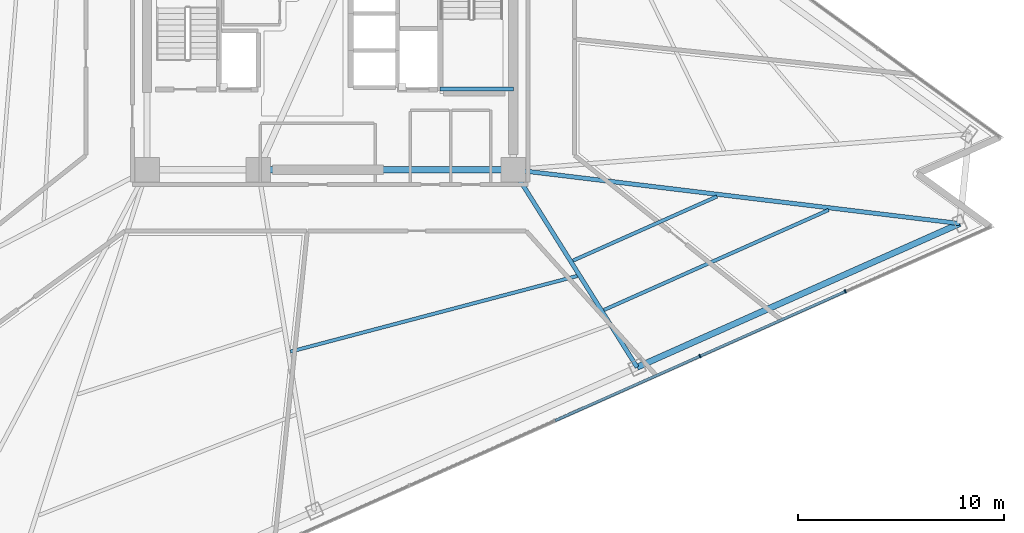
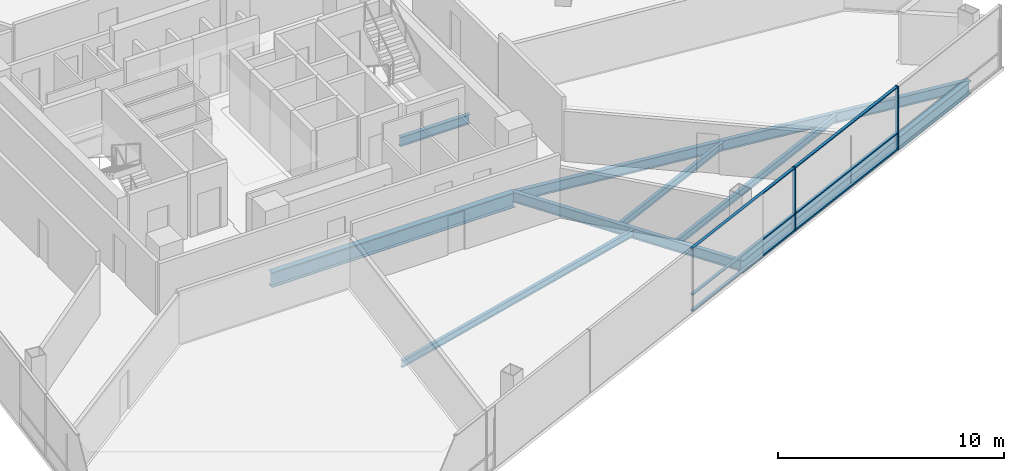
# One storey, part 5 of 19: 8 beams, 8 members, 1 element without a shape of its own.
"""IFC4 building model written with IfcOpenShell, lengths in metres."""

import ifcopenshell
import ifcopenshell.guid

model = None  # the IFC model being written
_history = None  # IfcOwnerHistory: only IFC2X3 demands one
_inside = {}  # id of a spatial element -> (the spatial element, [elements in it])
_under = {}  # id of a project, library or spatial element -> (it, [spatial elements below it])
_declared = {}  # id of a project -> (the project, [libraries it declares])
_typed = {}  # id of a type object -> (the type object, [elements of that type])
_made_of = {}  # id of a material, layer set ... -> (it, [elements and type objects made of it])


def new_model(schema):
    """Start an empty IFC model of exactly this schema.

    Asked for "IFC4X3", IfcOpenShell would pick the latest addendum, in which some entities
    have other attributes; the version numbers below select the first issue.
    IFC2X3 requires an IfcOwnerHistory on every rooted entity: one is made here for all.
    """
    global model, _history
    if schema == "IFC4X3":
        model = ifcopenshell.file(schema_version=(4, 3, 0, 0))
    else:
        model = ifcopenshell.file(schema=schema)
    _inside.clear()
    _under.clear()
    _declared.clear()
    _typed.clear()
    _made_of.clear()
    _history = None
    if model.schema == "IFC2X3":
        org = make("IfcOrganization", Name="unknown")
        user = make(
            "IfcPersonAndOrganization",
            ThePerson=make("IfcPerson", FamilyName="unknown"),
            TheOrganization=org,
        )
        app = make(
            "IfcApplication",
            ApplicationDeveloper=org,
            Version="unknown",
            ApplicationFullName="unknown",
            ApplicationIdentifier="unknown",
        )
        _history = make(
            "IfcOwnerHistory",
            OwningUser=user,
            OwningApplication=app,
            ChangeAction="ADDED",
            CreationDate=0,
        )
    return model


def make(cls, **values):
    """One entity of the class cls with the attributes given. An attribute that is None is left unset."""
    return model.create_entity(
        cls, **{name: value for name, value in values.items() if value is not None}
    )


def rooted(cls, **values):
    """An entity with a GlobalId (a new one), such as an element, a storey or a relation."""
    return make(cls, GlobalId=ifcopenshell.guid.new(), OwnerHistory=_history, **values)


def si_unit(unit_type, name, prefix=None):
    """IfcSIUnit, for example si_unit("LENGTHUNIT", "METRE", prefix="MILLI")."""
    return make("IfcSIUnit", UnitType=unit_type, Prefix=prefix, Name=name)


def assignment(units):
    """IfcUnitAssignment: the units of a project."""
    return None if units is None else make("IfcUnitAssignment", Units=units)


def point(xyz):
    """IfcCartesianPoint."""
    return None if xyz is None else make("IfcCartesianPoint", Coordinates=xyz)


def direction(xyz):
    """IfcDirection."""
    return None if xyz is None else make("IfcDirection", DirectionRatios=xyz)


def frame(location, z_axis=None, x_axis=None):
    """IfcAxis2Placement3D, a coordinate frame: its origin and axes. An axis left out is left unset."""
    return make(
        "IfcAxis2Placement3D",
        Location=point(location),
        Axis=direction(z_axis),
        RefDirection=direction(x_axis),
    )


def frame_2d(location, x_axis=None):
    """IfcAxis2Placement2D, a coordinate frame in the plane: its origin and x axis."""
    return make(
        "IfcAxis2Placement2D", Location=point(location), RefDirection=direction(x_axis)
    )


def origin():
    """The frame at (0, 0, 0) with its axes left unset."""
    return frame((0.0, 0.0, 0.0))


def origin_2d():
    """The frame at (0, 0) in the plane with its x axis left unset."""
    return frame_2d((0.0, 0.0))


def place(relative_to, where):
    """IfcLocalPlacement: puts the frame where relative to a parent placement (None: the world)."""
    return make(
        "IfcLocalPlacement", PlacementRelTo=relative_to, RelativePlacement=where
    )


def context(
    kind, dimensions, precision=None, world=None, true_north=None, identifier=None
):
    """IfcGeometricRepresentationContext, for example the 3D "Model" context."""
    return make(
        "IfcGeometricRepresentationContext",
        ContextIdentifier=identifier,
        ContextType=kind,
        CoordinateSpaceDimension=dimensions,
        Precision=precision,
        WorldCoordinateSystem=world,
        TrueNorth=true_north,
    )


def subcontext(parent, identifier, kind, view, scale=None):
    """IfcGeometricRepresentationSubContext, for example "Body" below "Model"."""
    return make(
        "IfcGeometricRepresentationSubContext",
        ContextIdentifier=identifier,
        ContextType=kind,
        ParentContext=parent,
        TargetScale=scale,
        TargetView=view,
    )


def project(units=None, contexts=None):
    """IfcProject with its units and contexts."""
    return rooted(
        "IfcProject",
        Name="project",
        RepresentationContexts=contexts,
        UnitsInContext=assignment(units),
    )


def spatial(cls, under=None, at=None, **own):
    """A site, building, storey or space (cls), placed at a placement, below another one or the project."""
    s = rooted(cls, ObjectPlacement=at, **own)
    if under is not None:
        _under.setdefault(under.id(), (under, []))[1].append(s)
    return s


def profile(cls, at=None, kind="AREA", **sizes):
    """A parametric profile (cls). Its sizes go by their IFC names, for example OverallWidth=200.0."""
    return make(cls, ProfileType=kind, Position=at, **sizes)


def rectangle(**sizes):
    """IfcRectangleProfileDef."""
    return profile("IfcRectangleProfileDef", **sizes)


def i_section(**sizes):
    """IfcIShapeProfileDef."""
    return profile("IfcIShapeProfileDef", **sizes)


def extrude(swept, where, along, depth):
    """IfcExtrudedAreaSolid: the profile swept, set in the frame where, extruded along a direction by depth."""
    return make(
        "IfcExtrudedAreaSolid",
        SweptArea=swept,
        Position=where,
        ExtrudedDirection=direction(along),
        Depth=depth,
    )


def shape(context_of_items, identifier, shape_type, items):
    """IfcShapeRepresentation: the items that make up one representation, for example the "Body"."""
    return make(
        "IfcShapeRepresentation",
        ContextOfItems=context_of_items,
        RepresentationIdentifier=identifier,
        RepresentationType=shape_type,
        Items=items,
    )


def material(Name=None, Category=None):
    """IfcMaterial."""
    return make("IfcMaterial", Name=Name, Category=Category)


def layer(
    of_material, thickness, ventilated=None, Name=None, Category=None, Priority=None
):
    """IfcMaterialLayer: one layer of a wall or slab, of a material (None: an air gap)."""
    return make(
        "IfcMaterialLayer",
        Material=of_material,
        LayerThickness=thickness,
        IsVentilated=ventilated,
        Name=Name,
        Category=Category,
        Priority=Priority,
    )


def layer_set(layers, Name=None):
    """IfcMaterialLayerSet."""
    return make("IfcMaterialLayerSet", MaterialLayers=layers, LayerSetName=Name)


def material_profile(
    of_material, cross_section, Name=None, Category=None, Priority=None
):
    """IfcMaterialProfile: a cross section and its material."""
    return make(
        "IfcMaterialProfile",
        Name=Name,
        Material=of_material,
        Profile=cross_section,
        Priority=Priority,
        Category=Category,
    )


def profile_set(profiles, Name=None, composite=None):
    """IfcMaterialProfileSet."""
    return make(
        "IfcMaterialProfileSet",
        Name=Name,
        MaterialProfiles=profiles,
        CompositeProfile=composite,
    )


def made_of(thing, what):
    """Note that an element or type object is made of a material, layer set ...; save() writes the relation."""
    if what is not None:
        _made_of.setdefault(what.id(), (what, []))[1].append(thing)
    return thing


def type_object(cls, material=None, **own):
    """A type object (cls), such as IfcWallType, which elements share."""
    return made_of(rooted(cls, **own), material)


def element(
    cls,
    number,
    at=None,
    inside=None,
    cuts=None,
    type_object=None,
    material=None,
    context=None,
    identifier="Body",
    shape_type=None,
    held_by="IfcProductDefinitionShape",
    body=None,
    shapes=None,
    **own,
):
    """One element of the class cls, such as IfcWall. Its Tag is "e" and its number.

    at: its placement. inside: the storey or other place that contains it. cuts: it is an
    opening in that element (IfcRelVoidsElement). A single representation is given by context,
    identifier, shape_type and body (its items); several are given by shapes. held_by: the class
    of the entity that holds the representations. save() writes the other relations.
    """
    e = rooted(cls, Tag="e%d" % number, ObjectPlacement=at, **own)
    if body is not None:
        shapes = [shape(context, identifier, shape_type, body)]
    if shapes is not None:
        e.Representation = make(held_by, Representations=shapes)
    if inside is not None:
        _inside.setdefault(inside.id(), (inside, []))[1].append(e)
    if cuts is not None:
        rooted(
            "IfcRelVoidsElement", RelatingBuildingElement=cuts, RelatedOpeningElement=e
        )
    if type_object is not None:
        _typed.setdefault(type_object.id(), (type_object, []))[1].append(e)
    return made_of(e, material)


def aggregate(whole, parts):
    """IfcRelAggregates: a whole, such as a stair, and the parts it consists of."""
    return rooted("IfcRelAggregates", RelatingObject=whole, RelatedObjects=parts)


def save(model, path):
    """Write the relations noted so far, then the file.

    IfcRelAggregates (storeys below a building ...), IfcRelContainedInSpatialStructure (elements
    in a storey), IfcRelDefinesByType, IfcRelAssociatesMaterial and IfcRelDeclares: one each for
    every whole, place, type object, material and project.
    """
    for whole, parts in _under.values():
        aggregate(whole, parts)
    for where, things in _inside.values():
        rooted(
            "IfcRelContainedInSpatialStructure",
            RelatedElements=things,
            RelatingStructure=where,
        )
    for kind, things in _typed.values():
        rooted("IfcRelDefinesByType", RelatedObjects=things, RelatingType=kind)
    for what, things in _made_of.values():
        rooted("IfcRelAssociatesMaterial", RelatedObjects=things, RelatingMaterial=what)
    for by, libraries in _declared.values():
        rooted("IfcRelDeclares", RelatingContext=by, RelatedDefinitions=libraries)
    model.write(path)


model = new_model("IFC4")

# Units and contexts
model_context = context("Model", 3, precision=1e-05, world=origin(), true_north=direction((0.0, 1.0)))
body_context = subcontext(model_context, "Body", "Model", "MODEL_VIEW")
ifc_project = project(units=[si_unit("LENGTHUNIT", "METRE"), si_unit("AREAUNIT", "SQUARE_METRE"), si_unit("VOLUMEUNIT", "CUBIC_METRE"), si_unit("PLANEANGLEUNIT", "RADIAN"), si_unit("MASSUNIT", "GRAM", prefix="KILO")], contexts=[model_context])

# Site, building, storey
site_placement = place(None, origin())
site = spatial("IfcSite", under=ifc_project, at=site_placement, CompositionType="ELEMENT")
building_placement = place(site_placement, origin())
building = spatial("IfcBuilding", under=site, at=building_placement, Name="Tharavind Bronze Gate", CompositionType="ELEMENT")
storey_placement = place(building_placement, frame((0.0, 0.0, 116.050048828125)))
storey = spatial("IfcBuildingStorey", under=building, at=storey_placement, Name="L29", CompositionType="ELEMENT", Elevation=116.050048828125)

# Curtain wall, members
ifc_material_1 = material(Name="Anodised Bronze Aluminium", Category="aluminium")
ifc_layer = layer(ifc_material_1, 0.219970703125)
ifc_layer_set = layer_set([ifc_layer], Name="Anodised Bronze Aluminium")
curtain_wall_type = type_object("IfcCurtainWallType", Name="UNITISED CURTAIN WALL LOWER OFFICE", PredefinedType="USERDEFINED", material=ifc_layer_set)
curtain_wall_placement = place(storey_placement, origin())
curtain_wall = element("IfcCurtainWall", 1, at=curtain_wall_placement, inside=storey, type_object=curtain_wall_type, Name="L29 unitised curtain wall lower office CW-L29-S2", ObjectType="UNITISED CURTAIN WALL", PredefinedType="USERDEFINED")
member_type_1 = type_object("IfcMemberType", Name="CURTAIN WALL BRONZE MULLION 65X180", PredefinedType="MULLION", material=ifc_material_1)
member_1_placement = place(storey_placement, frame((17.9755859375, -16.664306640625, 0.0), z_axis=(0.0, 0.0, 1.0), x_axis=(0.913545457643, 0.406736643076, 0.0)))
member_1 = element("IfcMember", 2, at=member_1_placement, type_object=member_type_1, Name="CW-L29-S2 mullion 6", PredefinedType="MULLION", context=body_context, shape_type="SweptSolid", body=[
    extrude(rectangle(XDim=0.06494140625, YDim=0.179931640625, at=origin_2d()), origin(), (0.0, 0.0, 1.0), 3.409912109375),
])
member_2_placement = place(storey_placement, frame((25.03759765625, -13.520263671875, 0.0), z_axis=(0.0, 0.0, 1.0), x_axis=(0.913545457643, 0.406736643076, 0.0)))
member_2 = element("IfcMember", 3, at=member_2_placement, type_object=member_type_1, Name="CW-L29-S2 mullion 7", PredefinedType="MULLION", context=body_context, shape_type="SweptSolid", body=[
    extrude(rectangle(XDim=0.06494140625, YDim=0.179931640625, at=origin_2d()), origin(), (0.0, 0.0, 1.0), 3.409912109375),
])
member_type_2 = type_object("IfcMemberType", Name="CURTAIN WALL BRONZE TRANSOM 65X140", PredefinedType="USERDEFINED", material=ifc_material_1)
member_3_placement = place(storey_placement, frame((14.4443359375, -18.236572265625, 0.0), z_axis=(0.0, 0.0, 1.0), x_axis=(0.913545457643, 0.406736643076, 0.0)))
member_3 = element("IfcMember", 4, at=member_3_placement, type_object=member_type_2, Name="CW-L29-S2 transom TB5", ObjectType="TRANSOM", PredefinedType="USERDEFINED", context=body_context, shape_type="SweptSolid", body=[
    extrude(rectangle(XDim=7.677490234375, YDim=0.139892578125, at=origin_2d()), origin(), (0.0, 0.0, 1.0), 0.06494140625),
])
member_4_placement = place(storey_placement, frame((14.4443359375, -18.236572265625, 0.867431640625), z_axis=(0.0, 0.0, 1.0), x_axis=(0.913545457643, 0.406736643076, 0.0)))
member_4 = element("IfcMember", 5, at=member_4_placement, type_object=member_type_2, Name="CW-L29-S2 transom TS5", ObjectType="TRANSOM", PredefinedType="USERDEFINED", context=body_context, shape_type="SweptSolid", body=[
    extrude(rectangle(XDim=7.677490234375, YDim=0.139892578125, at=origin_2d()), origin(), (0.0, 0.0, 1.0), 0.06494140625),
])
member_5_placement = place(storey_placement, frame((14.4443359375, -18.236572265625, 3.344970703125), z_axis=(0.0, 0.0, 1.0), x_axis=(0.913545457643, 0.406736643076, 0.0)))
member_5 = element("IfcMember", 6, at=member_5_placement, type_object=member_type_2, Name="CW-L29-S2 transom TT5", ObjectType="TRANSOM", PredefinedType="USERDEFINED", context=body_context, shape_type="SweptSolid", body=[
    extrude(rectangle(XDim=7.677490234375, YDim=0.139892578125, at=origin_2d()), origin(), (0.0, 0.0, 1.0), 0.06494140625),
])
member_6_placement = place(storey_placement, frame((21.506591796875, -15.09228515625, 0.0), z_axis=(0.0, 0.0, 1.0), x_axis=(0.913545457643, 0.406736643076, 0.0)))
member_6 = element("IfcMember", 7, at=member_6_placement, type_object=member_type_2, Name="CW-L29-S2 transom TB6", ObjectType="TRANSOM", PredefinedType="USERDEFINED", context=body_context, shape_type="SweptSolid", body=[
    extrude(rectangle(XDim=7.677490234375, YDim=0.139892578125, at=origin_2d()), origin(), (0.0, 0.0, 1.0), 0.06494140625),
])
member_7_placement = place(storey_placement, frame((21.506591796875, -15.09228515625, 0.867431640625), z_axis=(0.0, 0.0, 1.0), x_axis=(0.913545457643, 0.406736643076, 0.0)))
member_7 = element("IfcMember", 8, at=member_7_placement, type_object=member_type_2, Name="CW-L29-S2 transom TS6", ObjectType="TRANSOM", PredefinedType="USERDEFINED", context=body_context, shape_type="SweptSolid", body=[
    extrude(rectangle(XDim=7.677490234375, YDim=0.139892578125, at=origin_2d()), origin(), (0.0, 0.0, 1.0), 0.06494140625),
])
member_8_placement = place(storey_placement, frame((21.506591796875, -15.09228515625, 3.344970703125), z_axis=(0.0, 0.0, 1.0), x_axis=(0.913545457643, 0.406736643076, 0.0)))
member_8 = element("IfcMember", 9, at=member_8_placement, type_object=member_type_2, Name="CW-L29-S2 transom TT6", ObjectType="TRANSOM", PredefinedType="USERDEFINED", context=body_context, shape_type="SweptSolid", body=[
    extrude(rectangle(XDim=7.677490234375, YDim=0.139892578125, at=origin_2d()), origin(), (0.0, 0.0, 1.0), 0.06494140625),
])
aggregate(curtain_wall, [member_1, member_2, member_3, member_4, member_5, member_6, member_7, member_8])

# Beams
ifc_material_2 = material(Name="Steel S355", Category="steel")
ifc_material_profile_1 = material_profile(ifc_material_2, i_section(OverallWidth=0.199951171875, OverallDepth=0.5, WebThickness=0.01025390625, FlangeThickness=0.01611328125, at=origin_2d()), Name="IPE500")
ifc_profile_set_1 = profile_set([ifc_material_profile_1], Name="Steel S355")
beam_type_1 = type_object("IfcBeamType", Name="PRIMARY GIRDER IPE500", PredefinedType="USERDEFINED", material=ifc_profile_set_1)
beam_1_placement = place(storey_placement, frame((5.35009765625, -3.679931640625, 1.349853515625), z_axis=(1.0, 0.0, 0.0), x_axis=(0.0, 1.0, 0.0)))
element("IfcBeam", 10, at=beam_1_placement, inside=storey, type_object=beam_type_1, Name="L29 primary girder ipe500 BM-LD-ST2-L29-1", ObjectType="GIRDER", PredefinedType="USERDEFINED", context=body_context, shape_type="SweptSolid", body=[
    extrude(i_section(OverallWidth=0.199951171875, OverallDepth=0.5, WebThickness=0.01025390625, FlangeThickness=0.01611328125, at=origin_2d()), origin(), (0.0, 0.0, 1.0), 3.5498046875),
])
ifc_material_profile_2 = material_profile(ifc_material_2, i_section(OverallWidth=0.2099609375, OverallDepth=0.550048828125, WebThickness=0.010986328125, FlangeThickness=0.01708984375, at=origin_2d()), Name="IPE550")
ifc_profile_set_2 = profile_set([ifc_material_profile_2], Name="Steel S355")
beam_type_2 = type_object("IfcBeamType", Name="PRIMARY GIRDER IPE550", PredefinedType="USERDEFINED", material=ifc_profile_set_2)
beam_2_placement = place(storey_placement, frame((14.9208984375, -17.20361328125, -0.465087890625), z_axis=(-0.531191038732, 0.84725207605, 0.0), x_axis=(-0.84725207605, -0.531191038732, 0.0)))
element("IfcBeam", 11, at=beam_2_placement, inside=storey, type_object=beam_type_2, Name="L29 primary girder ipe550 BM-L29-RAD07", ObjectType="GIRDER", PredefinedType="USERDEFINED", context=body_context, shape_type="SweptSolid", body=[
    extrude(i_section(OverallWidth=0.2099609375, OverallDepth=0.550048828125, WebThickness=0.010986328125, FlangeThickness=0.01708984375, at=origin_2d()), origin(), (0.0, 0.0, 1.0), 11.3349609375),
])
beam_3_placement = place(storey_placement, frame((30.60791015625, -10.218994140625, -0.465087890625), z_axis=(-0.992801245425, 0.119773482384, 0.0), x_axis=(-0.119773482384, -0.992801245425, 0.0)))
element("IfcBeam", 12, at=beam_3_placement, inside=storey, type_object=beam_type_2, Name="L29 primary girder ipe550 BM-L29-RAD08", ObjectType="GIRDER", PredefinedType="USERDEFINED", context=body_context, shape_type="SweptSolid", body=[
    extrude(i_section(OverallWidth=0.2099609375, OverallDepth=0.550048828125, WebThickness=0.010986328125, FlangeThickness=0.01708984375, at=origin_2d()), origin(), (0.0, 0.0, 1.0), 21.865478515625),
])
ifc_material_profile_3 = material_profile(ifc_material_2, i_section(OverallWidth=0.300048828125, OverallDepth=0.699951171875, WebThickness=0.01708984375, FlangeThickness=0.031982421875, at=origin_2d()), Name="HE700B")
ifc_profile_set_3 = profile_set([ifc_material_profile_3], Name="Steel S355")
beam_type_3 = type_object("IfcBeamType", Name="RING GIRDER HE700B", PredefinedType="USERDEFINED", material=ifc_profile_set_3)
beam_4_placement = place(storey_placement, frame((14.9208984375, -17.20361328125, -0.5400390625), z_axis=(0.913538716284, 0.406751784078, 0.0), x_axis=(-0.406751784078, 0.913538716284, 0.0)))
element("IfcBeam", 13, at=beam_4_placement, inside=storey, type_object=beam_type_3, Name="L29 ring girder he700b BM-L29-PRG07", ObjectType="GIRDER", PredefinedType="USERDEFINED", context=body_context, shape_type="SweptSolid", body=[
    extrude(i_section(OverallWidth=0.300048828125, OverallDepth=0.699951171875, WebThickness=0.01708984375, FlangeThickness=0.031982421875, at=origin_2d()), origin(), (0.0, 0.0, 1.0), 17.171630859375),
])
ifc_material_profile_4 = material_profile(ifc_material_2, i_section(OverallWidth=0.300048828125, OverallDepth=0.800048828125, WebThickness=0.017578125, FlangeThickness=0.032958984375, at=origin_2d()), Name="HE800B")
ifc_profile_set_4 = profile_set([ifc_material_profile_4], Name="Steel S355")
beam_type_4 = type_object("IfcBeamType", Name="RING GIRDER HE800B", PredefinedType="USERDEFINED", material=ifc_profile_set_4)
beam_5_placement = place(storey_placement, frame((-3.5, -7.60009765625, -0.590087890625), z_axis=(1.0, 0.0, 0.0), x_axis=(0.0, 1.0, 0.0)))
element("IfcBeam", 14, at=beam_5_placement, inside=storey, type_object=beam_type_4, Name="L29 ring girder he800b BM-L29-CR2", ObjectType="GIRDER", PredefinedType="USERDEFINED", context=body_context, shape_type="SweptSolid", body=[
    extrude(i_section(OverallWidth=0.300048828125, OverallDepth=0.800048828125, WebThickness=0.017578125, FlangeThickness=0.032958984375, at=origin_2d()), origin(), (0.0, 0.0, 1.0), 12.39990234375),
])
ifc_material_profile_5 = material_profile(ifc_material_2, i_section(OverallWidth=0.169921875, OverallDepth=0.360107421875, WebThickness=0.008056640625, FlangeThickness=0.0126953125, at=origin_2d()), Name="IPE360")
ifc_profile_set_5 = profile_set([ifc_material_profile_5], Name="Steel S355")
beam_type_5 = type_object("IfcBeamType", Name="SECONDARY FLOOR JOIST IPE360", PredefinedType="JOIST", material=ifc_profile_set_5)
beam_6_placement = place(storey_placement, frame((-1.931640625, -16.446533203125, -0.3701171875), z_axis=(0.966897979759, 0.255163274667, 0.0), x_axis=(-0.255163274667, 0.966897979759, 0.0)))
element("IfcBeam", 15, at=beam_6_placement, inside=storey, type_object=beam_type_5, Name="L29 secondary floor joist ipe360 BM-L29-JSTA06", PredefinedType="JOIST", context=body_context, shape_type="SweptSolid", body=[
    extrude(i_section(OverallWidth=0.169921875, OverallDepth=0.360107421875, WebThickness=0.008056640625, FlangeThickness=0.0126953125, at=origin_2d()), origin(), (0.0, 0.0, 1.0), 14.419921875),
])
beam_7_placement = place(storey_placement, frame((11.80029296875, -12.02099609375, -0.3701171875), z_axis=(0.913531613224, 0.406767736725, 0.0), x_axis=(-0.406767736725, 0.913531613224, 0.0)))
element("IfcBeam", 16, at=beam_7_placement, inside=storey, type_object=beam_type_5, Name="L29 secondary floor joist ipe360 BM-L29-JSTA07", PredefinedType="JOIST", context=body_context, shape_type="SweptSolid", body=[
    extrude(i_section(OverallWidth=0.169921875, OverallDepth=0.360107421875, WebThickness=0.008056640625, FlangeThickness=0.0126953125, at=origin_2d()), origin(), (0.0, 0.0, 1.0), 7.666259765625),
])
beam_8_placement = place(storey_placement, frame((13.305419921875, -14.421630859375, -0.3701171875), z_axis=(0.913552919098, 0.406719883959, 0.0), x_axis=(-0.406719883959, 0.913552919098, 0.0)))
element("IfcBeam", 17, at=beam_8_placement, inside=storey, type_object=beam_type_5, Name="L29 secondary floor joist ipe360 BM-L29-JSTB07", PredefinedType="JOIST", context=body_context, shape_type="SweptSolid", body=[
    extrude(i_section(OverallWidth=0.169921875, OverallDepth=0.360107421875, WebThickness=0.008056640625, FlangeThickness=0.0126953125, at=origin_2d()), origin(), (0.0, 0.0, 1.0), 11.959228515625),
])

save(model, "model.ifc")
